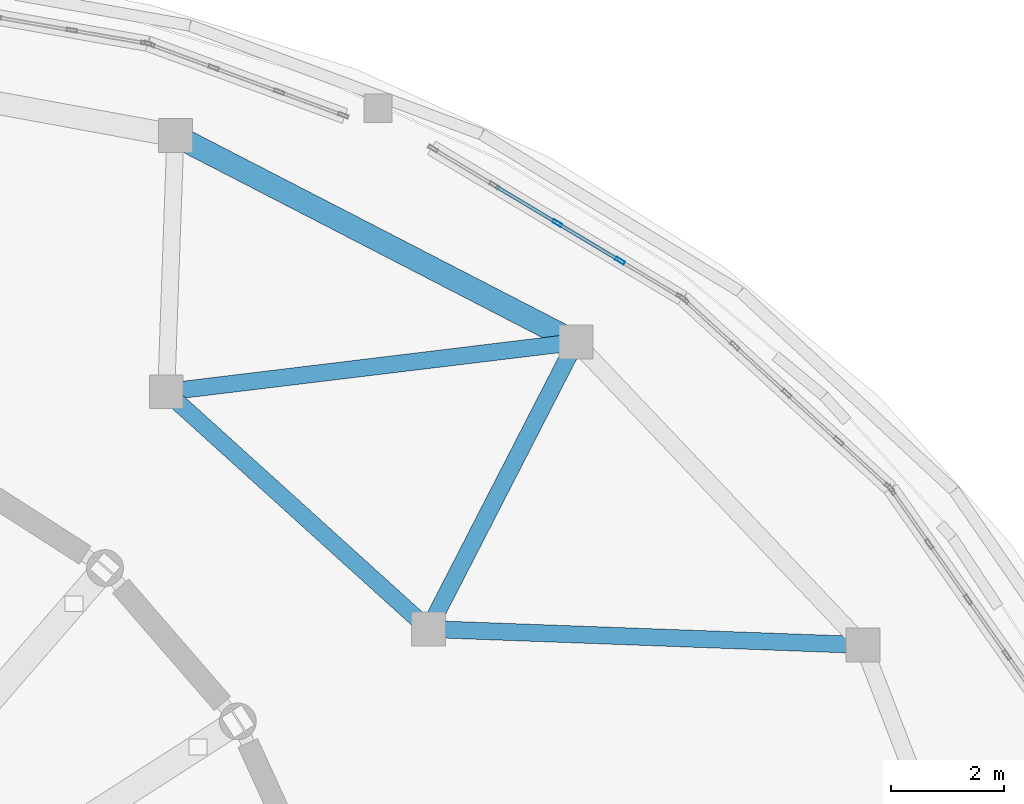
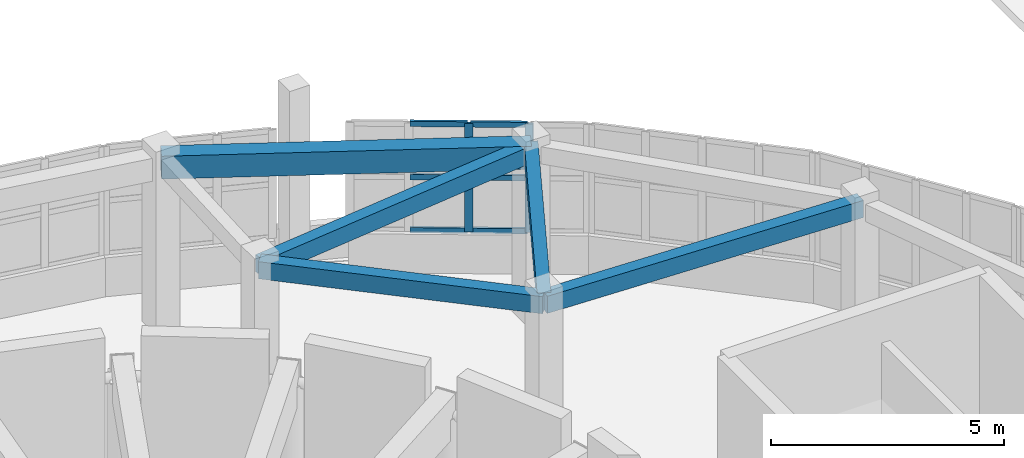
# One storey, part 29 of 69: 8 members, 5 beams, 1 element without a shape of its own.
"""IFC4 building model written with IfcOpenShell, lengths in metres."""

from ifc_helpers import new_model, si_unit, direction, frame, origin, origin_2d, place, context, subcontext, project, spatial, rectangle, hollow_rectangle, extrude, material, layer, layer_set, material_profile, profile_set, type_object, element, aggregate, save


model = new_model("IFC4")

# Units and contexts
model_context = context("Model", 3, precision=1e-05, world=origin(), true_north=direction((0.0, 1.0)))
body_context = subcontext(model_context, "Body", "Model", "MODEL_VIEW")
ifc_project = project(units=[si_unit("LENGTHUNIT", "METRE"), si_unit("AREAUNIT", "SQUARE_METRE"), si_unit("VOLUMEUNIT", "CUBIC_METRE"), si_unit("PLANEANGLEUNIT", "RADIAN"), si_unit("MASSUNIT", "GRAM", prefix="KILO")], contexts=[model_context])

# Site, building, storey
site_placement = place(None, origin())
site = spatial("IfcSite", under=ifc_project, at=site_placement, CompositionType="ELEMENT")
building_placement = place(site_placement, origin())
building = spatial("IfcBuilding", under=site, at=building_placement, Name="Pelvatis Terrace Science Centre", CompositionType="ELEMENT")
storey_placement = place(building_placement, frame((0.0, 0.0, 15.0)))
storey = spatial("IfcBuildingStorey", under=building, at=storey_placement, Name="L03", CompositionType="ELEMENT", Elevation=15.0)

# Beams
ifc_material_1 = material(Name="Concrete C35/45", Category="concrete")
ifc_material_profile_1 = material_profile(ifc_material_1, rectangle(XDim=0.300048828125, YDim=0.449951171875, at=origin_2d()), Name="RC-BM 300x450")
ifc_profile_set_1 = profile_set([ifc_material_profile_1], Name="Concrete C35/45")
beam_type_1 = type_object("IfcBeamType", Name="BM-RC-300x450", PredefinedType="BEAM", material=ifc_profile_set_1)
beam_1_placement = place(storey_placement, frame((130.8515625, 93.9619140625, 4.324951171875), z_axis=(-0.999323636049, 0.036773229863, 0.0), x_axis=(-0.036773229863, -0.999323636049, 0.0)))
element("IfcBeam", 1, at=beam_1_placement, inside=storey, type_object=beam_type_1, Name="Beam BM-L03-3012", PredefinedType="BEAM", context=body_context, shape_type="SweptSolid", body=[
    extrude(rectangle(XDim=0.300048828125, YDim=0.449951171875, at=origin_2d()), origin(), (0.0, 0.0, 1.0), 7.68798828125),
])
beam_2_placement = place(storey_placement, frame((125.772705078125, 99.315185546875, 4.324951171875), z_axis=(-0.456833081813, -0.88955243542, 0.0), x_axis=(0.88955243542, -0.456833081813, 0.0)))
element("IfcBeam", 2, at=beam_2_placement, inside=storey, type_object=beam_type_1, Name="Beam BM-L03-3014", PredefinedType="BEAM", context=body_context, shape_type="SweptSolid", body=[
    extrude(rectangle(XDim=0.300048828125, YDim=0.449951171875, at=origin_2d()), origin(), (0.0, 0.0, 1.0), 5.7001953125),
])
beam_3_placement = place(storey_placement, frame((125.772705078125, 99.315185546875, 4.324951171875), z_axis=(-0.992742021156, -0.120263375265, 0.0), x_axis=(0.120263375265, -0.992742021156, 0.0)))
element("IfcBeam", 3, at=beam_3_placement, inside=storey, type_object=beam_type_1, Name="Beam BM-L03-3015", PredefinedType="BEAM", context=body_context, shape_type="SweptSolid", body=[
    extrude(rectangle(XDim=0.300048828125, YDim=0.449951171875, at=origin_2d()), origin(), (0.0, 0.0, 1.0), 7.2919921875),
])
beam_4_placement = place(storey_placement, frame((123.168701171875, 94.24462890625, 4.324951171875), z_axis=(-0.741533928448, 0.670915369447, 0.0), x_axis=(-0.670915369447, -0.741533928448, 0.0)))
element("IfcBeam", 4, at=beam_4_placement, inside=storey, type_object=beam_type_1, Name="Beam BM-L03-3039", PredefinedType="BEAM", context=body_context, shape_type="SweptSolid", body=[
    extrude(rectangle(XDim=0.300048828125, YDim=0.449951171875, at=origin_2d()), origin(), (0.0, 0.0, 1.0), 6.25048828125),
])
ifc_material_2 = material(Name="Concrete C35/45", Category="concrete")
ifc_material_profile_2 = material_profile(ifc_material_2, rectangle(XDim=0.39990234375, YDim=0.60009765625, at=origin_2d()), Name="RC-BM 400x600")
ifc_profile_set_2 = profile_set([ifc_material_profile_2], Name="Concrete C35/45")
beam_type_2 = type_object("IfcBeamType", Name="BM-RC-400x600", PredefinedType="BEAM", material=ifc_profile_set_2)
beam_5_placement = place(storey_placement, frame((125.772705078125, 99.315185546875, 4.25), z_axis=(-0.888746773827, 0.458398486049, 0.0), x_axis=(-0.458398486049, -0.888746773827, 0.0)))
element("IfcBeam", 5, at=beam_5_placement, inside=storey, type_object=beam_type_2, Name="Beam BM-L03-3013", PredefinedType="BEAM", context=body_context, shape_type="SweptSolid", body=[
    extrude(rectangle(XDim=0.39990234375, YDim=0.60009765625, at=origin_2d()), origin(), (0.0, 0.0, 1.0), 7.9638671875),
])

# Curtain wall, members
ifc_material_3 = material(Name="Bronze-anodised aluminium and laminated glass", Category="aluminium")
ifc_layer = layer(ifc_material_3, 0.179931640625)
ifc_layer_set = layer_set([ifc_layer], Name="Bronze-anodised aluminium and laminated glass")
curtain_wall_type = type_object("IfcCurtainWallType", Name="CW-RIBBON-A", PredefinedType="NOTDEFINED", material=ifc_layer_set)
curtain_wall_placement = place(storey_placement, origin())
curtain_wall = element("IfcCurtainWall", 6, at=curtain_wall_placement, inside=storey, type_object=curtain_wall_type, Name="Ribbon curtain wall CW-187 (L03)", PredefinedType="NOTDEFINED")
ifc_material_4 = material(Name="Bronze-anodised aluminium 6063-T6", Category="aluminium")
ifc_material_profile_3 = material_profile(ifc_material_4, hollow_rectangle(XDim=0.06005859375, YDim=0.179931640625, WallThickness=0.00390625, at=origin_2d()), Name="ALU-MUL 60x180")
ifc_profile_set_3 = profile_set([ifc_material_profile_3], Name="Bronze-anodised aluminium 6063-T6")
member_type_1 = type_object("IfcMemberType", Name="CWM-60x180", PredefinedType="MULLION", material=ifc_profile_set_3)
member_1_placement = place(storey_placement, frame((126.5546875, 100.754150390625, 1.02001953125), z_axis=(0.0, 0.0, 1.0), x_axis=(-0.51399559594, -0.857792823096, 0.0)))
member_1 = element("IfcMember", 7, at=member_1_placement, type_object=member_type_1, Name="CW-187 mullion 2", PredefinedType="MULLION", context=body_context, shape_type="SweptSolid", body=[
    extrude(hollow_rectangle(XDim=0.06005859375, YDim=0.179931640625, WallThickness=0.00390625, at=origin_2d()), origin(), (0.0, 0.0, 1.0), 2.85009765625),
])
member_2_placement = place(storey_placement, frame((125.44482421875, 101.419189453125, 1.02001953125), z_axis=(0.0, 0.0, 1.0), x_axis=(-0.51399559594, -0.857792823096, 0.0)))
member_2 = element("IfcMember", 8, at=member_2_placement, type_object=member_type_1, Name="CW-187 mullion 3", PredefinedType="MULLION", context=body_context, shape_type="SweptSolid", body=[
    extrude(hollow_rectangle(XDim=0.06005859375, YDim=0.179931640625, WallThickness=0.00390625, at=origin_2d()), origin(), (0.0, 0.0, 1.0), 2.85009765625),
])
ifc_material_5 = material(Name="Bronze-anodised aluminium 6063-T6", Category="aluminium")
ifc_material_profile_4 = material_profile(ifc_material_5, hollow_rectangle(XDim=0.06005859375, YDim=0.139892578125, WallThickness=0.00390625, at=origin_2d()), Name="ALU-TRN 60x140")
ifc_profile_set_4 = profile_set([ifc_material_profile_4], Name="Bronze-anodised aluminium 6063-T6")
member_type_2 = type_object("IfcMemberType", Name="CWT-60x140", PredefinedType="USERDEFINED", material=ifc_profile_set_4)
member_3_placement = place(storey_placement, frame((126.529052734375, 100.76953125, 1.050048828125), z_axis=(-0.857754697805, 0.514059216816, 0.0), x_axis=(-0.514059216816, -0.857754697805, 0.0)))
member_3 = element("IfcMember", 9, at=member_3_placement, type_object=member_type_2, Name="CW-187 transom 2.1", ObjectType="TRANSOM", PredefinedType="USERDEFINED", context=body_context, shape_type="SweptSolid", body=[
    extrude(hollow_rectangle(XDim=0.06005859375, YDim=0.139892578125, WallThickness=0.00390625, at=origin_2d()), origin(), (0.0, 0.0, 1.0), 1.23388671875),
])
member_4_placement = place(storey_placement, frame((126.529052734375, 100.76953125, 2.445068359375), z_axis=(-0.857754697805, 0.514059216816, 0.0), x_axis=(-0.514059216816, -0.857754697805, 0.0)))
member_4 = element("IfcMember", 10, at=member_4_placement, type_object=member_type_2, Name="CW-187 transom 2.2", ObjectType="TRANSOM", PredefinedType="USERDEFINED", context=body_context, shape_type="SweptSolid", body=[
    extrude(hollow_rectangle(XDim=0.06005859375, YDim=0.139892578125, WallThickness=0.00390625, at=origin_2d()), origin(), (0.0, 0.0, 1.0), 1.23388671875),
])
member_5_placement = place(storey_placement, frame((126.529052734375, 100.76953125, 3.840087890625), z_axis=(-0.857754697805, 0.514059216816, 0.0), x_axis=(-0.514059216816, -0.857754697805, 0.0)))
member_5 = element("IfcMember", 11, at=member_5_placement, type_object=member_type_2, Name="CW-187 transom 2.3", ObjectType="TRANSOM", PredefinedType="USERDEFINED", context=body_context, shape_type="SweptSolid", body=[
    extrude(hollow_rectangle(XDim=0.06005859375, YDim=0.139892578125, WallThickness=0.00390625, at=origin_2d()), origin(), (0.0, 0.0, 1.0), 1.23388671875),
])
member_6_placement = place(storey_placement, frame((125.419189453125, 101.4345703125, 1.050048828125), z_axis=(-0.857806972288, 0.513971982012, 0.0), x_axis=(-0.513971982012, -0.857806972288, 0.0)))
member_6 = element("IfcMember", 12, at=member_6_placement, type_object=member_type_2, Name="CW-187 transom 3.1", ObjectType="TRANSOM", PredefinedType="USERDEFINED", context=body_context, shape_type="SweptSolid", body=[
    extrude(hollow_rectangle(XDim=0.06005859375, YDim=0.139892578125, WallThickness=0.00390625, at=origin_2d()), origin(), (0.0, 0.0, 1.0), 1.234130859375),
])
member_7_placement = place(storey_placement, frame((125.419189453125, 101.4345703125, 2.445068359375), z_axis=(-0.857806972288, 0.513971982012, 0.0), x_axis=(-0.513971982012, -0.857806972288, 0.0)))
member_7 = element("IfcMember", 13, at=member_7_placement, type_object=member_type_2, Name="CW-187 transom 3.2", ObjectType="TRANSOM", PredefinedType="USERDEFINED", context=body_context, shape_type="SweptSolid", body=[
    extrude(hollow_rectangle(XDim=0.06005859375, YDim=0.139892578125, WallThickness=0.00390625, at=origin_2d()), origin(), (0.0, 0.0, 1.0), 1.234130859375),
])
member_8_placement = place(storey_placement, frame((125.419189453125, 101.4345703125, 3.840087890625), z_axis=(-0.857806972288, 0.513971982012, 0.0), x_axis=(-0.513971982012, -0.857806972288, 0.0)))
member_8 = element("IfcMember", 14, at=member_8_placement, type_object=member_type_2, Name="CW-187 transom 3.3", ObjectType="TRANSOM", PredefinedType="USERDEFINED", context=body_context, shape_type="SweptSolid", body=[
    extrude(hollow_rectangle(XDim=0.06005859375, YDim=0.139892578125, WallThickness=0.00390625, at=origin_2d()), origin(), (0.0, 0.0, 1.0), 1.234130859375),
])
aggregate(curtain_wall, [member_1, member_2, member_3, member_4, member_5, member_6, member_7, member_8])

save(model, "model.ifc")
